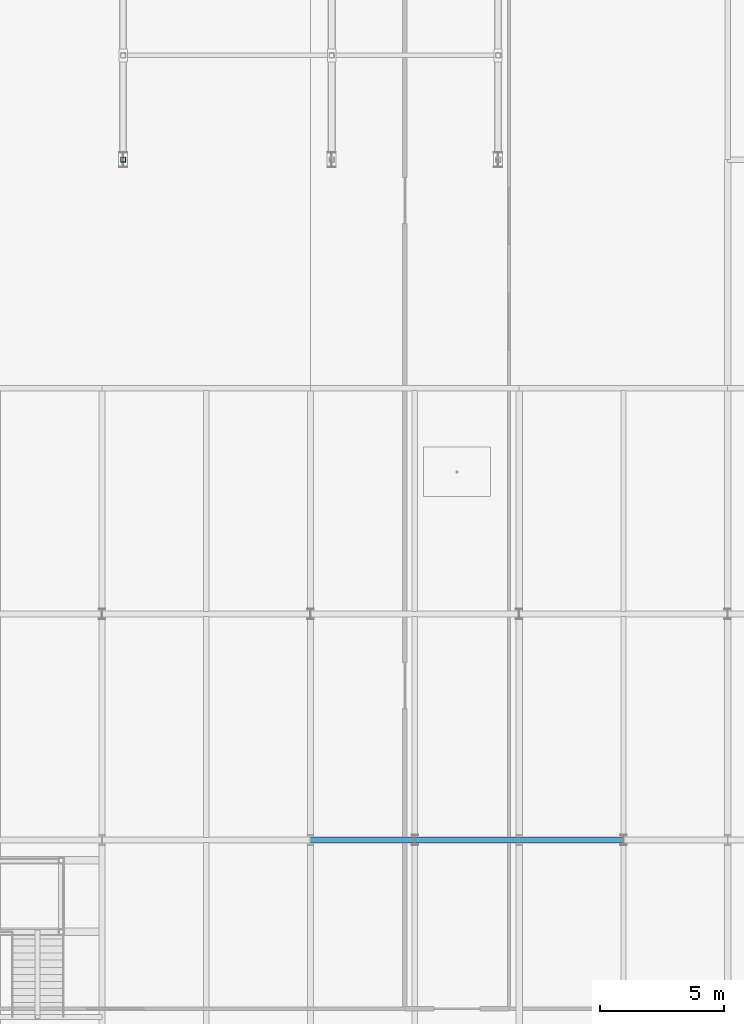
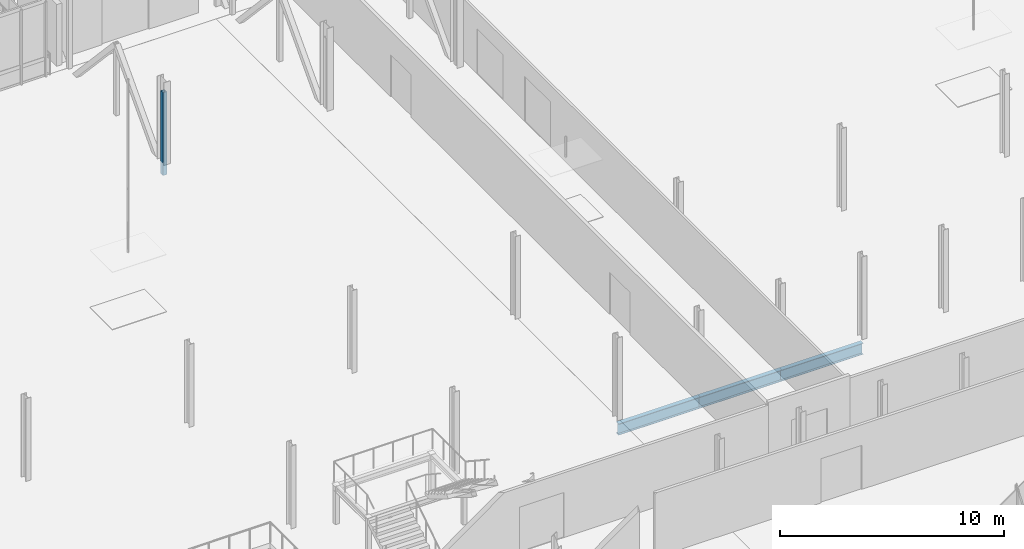
# One storey, part 62 of 139: 3 beams, 1 member.
"""IFC4 building model written with IfcOpenShell, lengths in metres."""

import ifcopenshell
import ifcopenshell.guid

model = None  # the IFC model being written
_history = None  # IfcOwnerHistory: only IFC2X3 demands one
_inside = {}  # id of a spatial element -> (the spatial element, [elements in it])
_under = {}  # id of a project, library or spatial element -> (it, [spatial elements below it])
_declared = {}  # id of a project -> (the project, [libraries it declares])
_typed = {}  # id of a type object -> (the type object, [elements of that type])
_made_of = {}  # id of a material, layer set ... -> (it, [elements and type objects made of it])


def new_model(schema):
    """Start an empty IFC model of exactly this schema.

    Asked for "IFC4X3", IfcOpenShell would pick the latest addendum, in which some entities
    have other attributes; the version numbers below select the first issue.
    IFC2X3 requires an IfcOwnerHistory on every rooted entity: one is made here for all.
    """
    global model, _history
    if schema == "IFC4X3":
        model = ifcopenshell.file(schema_version=(4, 3, 0, 0))
    else:
        model = ifcopenshell.file(schema=schema)
    _inside.clear()
    _under.clear()
    _declared.clear()
    _typed.clear()
    _made_of.clear()
    _history = None
    if model.schema == "IFC2X3":
        org = make("IfcOrganization", Name="unknown")
        user = make(
            "IfcPersonAndOrganization",
            ThePerson=make("IfcPerson", FamilyName="unknown"),
            TheOrganization=org,
        )
        app = make(
            "IfcApplication",
            ApplicationDeveloper=org,
            Version="unknown",
            ApplicationFullName="unknown",
            ApplicationIdentifier="unknown",
        )
        _history = make(
            "IfcOwnerHistory",
            OwningUser=user,
            OwningApplication=app,
            ChangeAction="ADDED",
            CreationDate=0,
        )
    return model


def make(cls, **values):
    """One entity of the class cls with the attributes given. An attribute that is None is left unset."""
    return model.create_entity(
        cls, **{name: value for name, value in values.items() if value is not None}
    )


def rooted(cls, **values):
    """An entity with a GlobalId (a new one), such as an element, a storey or a relation."""
    return make(cls, GlobalId=ifcopenshell.guid.new(), OwnerHistory=_history, **values)


def si_unit(unit_type, name, prefix=None):
    """IfcSIUnit, for example si_unit("LENGTHUNIT", "METRE", prefix="MILLI")."""
    return make("IfcSIUnit", UnitType=unit_type, Prefix=prefix, Name=name)


def derived_unit(unit_type, elements):
    """IfcDerivedUnit: a product of units, each with its exponent."""
    return make(
        "IfcDerivedUnit",
        Elements=[
            make("IfcDerivedUnitElement", Unit=unit, Exponent=power)
            for unit, power in elements
        ],
        UnitType=unit_type,
    )


def assignment(units):
    """IfcUnitAssignment: the units of a project."""
    return None if units is None else make("IfcUnitAssignment", Units=units)


def point(xyz):
    """IfcCartesianPoint."""
    return None if xyz is None else make("IfcCartesianPoint", Coordinates=xyz)


def direction(xyz):
    """IfcDirection."""
    return None if xyz is None else make("IfcDirection", DirectionRatios=xyz)


def frame(location, z_axis=None, x_axis=None):
    """IfcAxis2Placement3D, a coordinate frame: its origin and axes. An axis left out is left unset."""
    return make(
        "IfcAxis2Placement3D",
        Location=point(location),
        Axis=direction(z_axis),
        RefDirection=direction(x_axis),
    )


def frame_2d(location, x_axis=None):
    """IfcAxis2Placement2D, a coordinate frame in the plane: its origin and x axis."""
    return make(
        "IfcAxis2Placement2D", Location=point(location), RefDirection=direction(x_axis)
    )


def origin():
    """The frame at (0, 0, 0) with its axes left unset."""
    return frame((0.0, 0.0, 0.0))


def origin_2d():
    """The frame at (0, 0) in the plane with its x axis left unset."""
    return frame_2d((0.0, 0.0))


def place(relative_to, where):
    """IfcLocalPlacement: puts the frame where relative to a parent placement (None: the world)."""
    return make(
        "IfcLocalPlacement", PlacementRelTo=relative_to, RelativePlacement=where
    )


def context(
    kind, dimensions, precision=None, world=None, true_north=None, identifier=None
):
    """IfcGeometricRepresentationContext, for example the 3D "Model" context."""
    return make(
        "IfcGeometricRepresentationContext",
        ContextIdentifier=identifier,
        ContextType=kind,
        CoordinateSpaceDimension=dimensions,
        Precision=precision,
        WorldCoordinateSystem=world,
        TrueNorth=true_north,
    )


def subcontext(parent, identifier, kind, view, scale=None):
    """IfcGeometricRepresentationSubContext, for example "Body" below "Model"."""
    return make(
        "IfcGeometricRepresentationSubContext",
        ContextIdentifier=identifier,
        ContextType=kind,
        ParentContext=parent,
        TargetScale=scale,
        TargetView=view,
    )


def project(units=None, contexts=None):
    """IfcProject with its units and contexts."""
    return rooted(
        "IfcProject",
        Name="project",
        RepresentationContexts=contexts,
        UnitsInContext=assignment(units),
    )


def spatial(cls, under=None, at=None, **own):
    """A site, building, storey or space (cls), placed at a placement, below another one or the project."""
    s = rooted(cls, ObjectPlacement=at, **own)
    if under is not None:
        _under.setdefault(under.id(), (under, []))[1].append(s)
    return s


def profile(cls, at=None, kind="AREA", **sizes):
    """A parametric profile (cls). Its sizes go by their IFC names, for example OverallWidth=200.0."""
    return make(cls, ProfileType=kind, Position=at, **sizes)


def hollow_rectangle(**sizes):
    """IfcRectangleHollowProfileDef."""
    return profile("IfcRectangleHollowProfileDef", **sizes)


def i_section(**sizes):
    """IfcIShapeProfileDef."""
    return profile("IfcIShapeProfileDef", **sizes)


def extrude(swept, where, along, depth):
    """IfcExtrudedAreaSolid: the profile swept, set in the frame where, extruded along a direction by depth."""
    return make(
        "IfcExtrudedAreaSolid",
        SweptArea=swept,
        Position=where,
        ExtrudedDirection=direction(along),
        Depth=depth,
    )


def shape(context_of_items, identifier, shape_type, items):
    """IfcShapeRepresentation: the items that make up one representation, for example the "Body"."""
    return make(
        "IfcShapeRepresentation",
        ContextOfItems=context_of_items,
        RepresentationIdentifier=identifier,
        RepresentationType=shape_type,
        Items=items,
    )


def material(Name=None, Category=None):
    """IfcMaterial."""
    return make("IfcMaterial", Name=Name, Category=Category)


def material_profile(
    of_material, cross_section, Name=None, Category=None, Priority=None
):
    """IfcMaterialProfile: a cross section and its material."""
    return make(
        "IfcMaterialProfile",
        Name=Name,
        Material=of_material,
        Profile=cross_section,
        Priority=Priority,
        Category=Category,
    )


def profile_set(profiles, Name=None, composite=None):
    """IfcMaterialProfileSet."""
    return make(
        "IfcMaterialProfileSet",
        Name=Name,
        MaterialProfiles=profiles,
        CompositeProfile=composite,
    )


def made_of(thing, what):
    """Note that an element or type object is made of a material, layer set ...; save() writes the relation."""
    if what is not None:
        _made_of.setdefault(what.id(), (what, []))[1].append(thing)
    return thing


def type_object(cls, material=None, **own):
    """A type object (cls), such as IfcWallType, which elements share."""
    return made_of(rooted(cls, **own), material)


def element(
    cls,
    number,
    at=None,
    inside=None,
    cuts=None,
    type_object=None,
    material=None,
    context=None,
    identifier="Body",
    shape_type=None,
    held_by="IfcProductDefinitionShape",
    body=None,
    shapes=None,
    **own,
):
    """One element of the class cls, such as IfcWall. Its Tag is "e" and its number.

    at: its placement. inside: the storey or other place that contains it. cuts: it is an
    opening in that element (IfcRelVoidsElement). A single representation is given by context,
    identifier, shape_type and body (its items); several are given by shapes. held_by: the class
    of the entity that holds the representations. save() writes the other relations.
    """
    e = rooted(cls, Tag="e%d" % number, ObjectPlacement=at, **own)
    if body is not None:
        shapes = [shape(context, identifier, shape_type, body)]
    if shapes is not None:
        e.Representation = make(held_by, Representations=shapes)
    if inside is not None:
        _inside.setdefault(inside.id(), (inside, []))[1].append(e)
    if cuts is not None:
        rooted(
            "IfcRelVoidsElement", RelatingBuildingElement=cuts, RelatedOpeningElement=e
        )
    if type_object is not None:
        _typed.setdefault(type_object.id(), (type_object, []))[1].append(e)
    return made_of(e, material)


def aggregate(whole, parts):
    """IfcRelAggregates: a whole, such as a stair, and the parts it consists of."""
    return rooted("IfcRelAggregates", RelatingObject=whole, RelatedObjects=parts)


def save(model, path):
    """Write the relations noted so far, then the file.

    IfcRelAggregates (storeys below a building ...), IfcRelContainedInSpatialStructure (elements
    in a storey), IfcRelDefinesByType, IfcRelAssociatesMaterial and IfcRelDeclares: one each for
    every whole, place, type object, material and project.
    """
    for whole, parts in _under.values():
        aggregate(whole, parts)
    for where, things in _inside.values():
        rooted(
            "IfcRelContainedInSpatialStructure",
            RelatedElements=things,
            RelatingStructure=where,
        )
    for kind, things in _typed.values():
        rooted("IfcRelDefinesByType", RelatedObjects=things, RelatingType=kind)
    for what, things in _made_of.values():
        rooted("IfcRelAssociatesMaterial", RelatedObjects=things, RelatingMaterial=what)
    for by, libraries in _declared.values():
        rooted("IfcRelDeclares", RelatingContext=by, RelatedDefinitions=libraries)
    model.write(path)


model = new_model("IFC4")

# Units and contexts
model_context = context("Model", 3, precision=1e-05, world=origin(), true_north=direction((0.0, 1.0)))
body_context = subcontext(model_context, "Body", "Model", "MODEL_VIEW")
ifc_project = project(units=[si_unit("LENGTHUNIT", "METRE"), si_unit("AREAUNIT", "SQUARE_METRE"), si_unit("VOLUMEUNIT", "CUBIC_METRE"), si_unit("PLANEANGLEUNIT", "RADIAN"), si_unit("MASSUNIT", "GRAM", prefix="KILO"), derived_unit("THERMALTRANSMITTANCEUNIT", [(si_unit("MASSUNIT", "GRAM", prefix="KILO"), 1), (si_unit("TIMEUNIT", "SECOND"), -3), (si_unit("THERMODYNAMICTEMPERATUREUNIT", "KELVIN"), -1)])], contexts=[model_context])

# Site, building, storey
site_placement = place(None, origin())
site = spatial("IfcSite", under=ifc_project, at=site_placement, CompositionType="ELEMENT")
building_placement = place(site_placement, origin())
building = spatial("IfcBuilding", under=site, at=building_placement, Name="Makaiwela Harbour Ferry Terminal", CompositionType="ELEMENT")
storey_placement = place(building_placement, frame((0.0, 0.0, 5.10009765625)))
storey = spatial("IfcBuildingStorey", under=building, at=storey_placement, Name="L01", CompositionType="ELEMENT", Elevation=5.10009765625)

# Beams
ifc_material_1 = material(Name="Steel ASTM A992 Grade 50", Category="steel")
ifc_material_profile_1 = material_profile(ifc_material_1, i_section(OverallWidth=0.22900390625, OverallDepth=0.612060546875, WebThickness=0.011962890625, FlangeThickness=0.01953125, at=origin_2d()), Name="W24X84")
ifc_profile_set_1 = profile_set([ifc_material_profile_1], Name="Steel ASTM A992 Grade 50")
beam_type = type_object("IfcBeamType", Name="STR-GRD-W24X84", PredefinedType="USERDEFINED", material=ifc_profile_set_1)
for number, where, z_axis, x_axis, name in (
    (1, (96.60009765625, 67.60009765625, -0.586181640625), (1.0, 0.0, 0.0), (0.0, 1.0, 0.0), "Primary X girder 853"),
    (2, (100.800048828125, 67.60009765625, -0.586181640625), (1.0, 0.0, 0.0), (0.0, 1.0, 0.0), "Primary X girder 854"),
    (3, (105.0, 67.60009765625, -0.586181640625), (1.0, 0.0, 0.0), (0.0, 1.0, 0.0), "Primary X girder 855"),
):
    element("IfcBeam", number, at=place(storey_placement, frame(where, z_axis=z_axis, x_axis=x_axis)), inside=storey, type_object=beam_type, Name=name, ObjectType="GIRDER", PredefinedType="USERDEFINED", context=body_context, shape_type="SweptSolid", body=[
        extrude(i_section(OverallWidth=0.22900390625, OverallDepth=0.612060546875, WebThickness=0.011962890625, FlangeThickness=0.01953125, at=origin_2d()), origin(), (0.0, 0.0, 1.0), 4.199951171875),
    ])

# Member
ifc_material_2 = material(Name="Steel ASTM A500 Grade C", Category="steel")
ifc_material_profile_2 = material_profile(ifc_material_2, hollow_rectangle(XDim=0.202880859375, YDim=0.202880859375, WallThickness=0.01171875, at=origin_2d()), Name="HSS8X8X1/2")
ifc_profile_set_2 = profile_set([ifc_material_profile_2], Name="Steel ASTM A500 Grade C")
member_type = type_object("IfcMemberType", Name="STR-PST-HSS8", PredefinedType="POST", material=ifc_profile_set_2)
member_placement = place(storey_placement, frame((89.050048828125, 95.0, -0.70556640625), z_axis=(0.0, 0.0, 1.0), x_axis=(1.0, 0.0, 0.0)))
element("IfcMember", 4, at=member_placement, inside=storey, type_object=member_type, Name="Structural Member PS-01", PredefinedType="POST", context=body_context, shape_type="SweptSolid", body=[
    extrude(hollow_rectangle(XDim=0.202880859375, YDim=0.202880859375, WallThickness=0.01171875, at=origin_2d()), origin(), (0.0, 0.0, 1.0), 4.52001953125),
])

save(model, "model.ifc")
